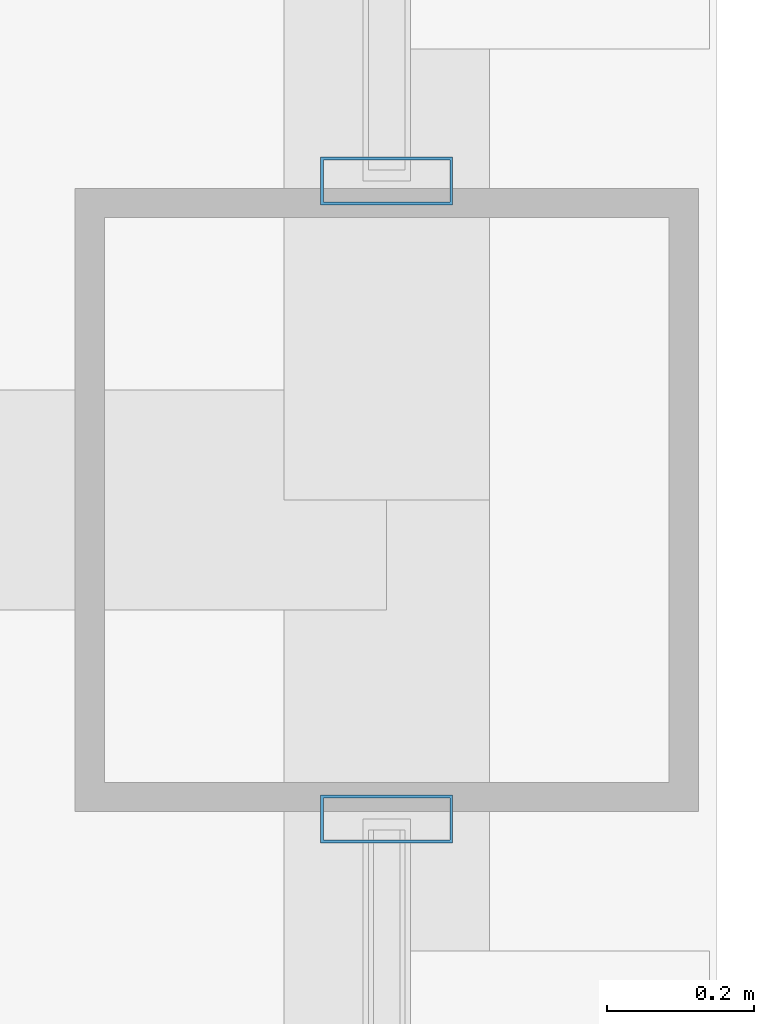
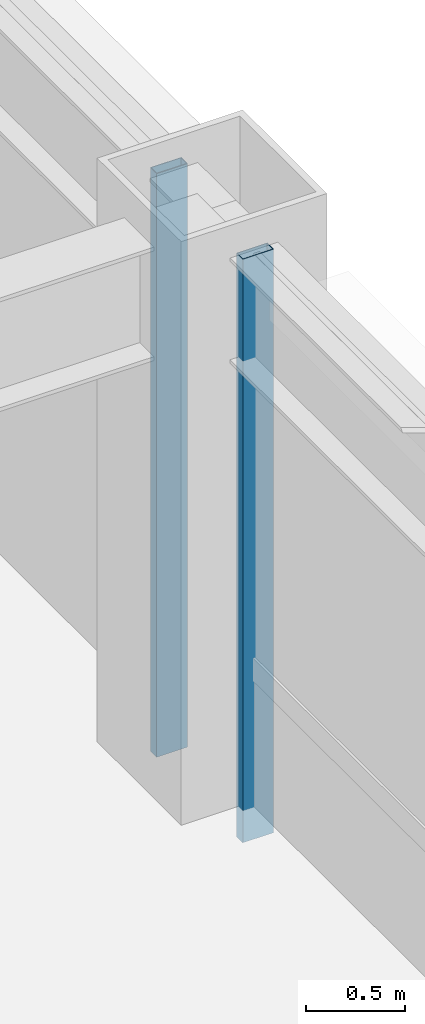
# One storey, part 17 of 31: 2 members, 2 elements without a shape of their own.
"""IFC4 building model written with IfcOpenShell, lengths in metres."""

from ifc_helpers import new_model, si_unit, direction, frame, origin, origin_2d, place, context, subcontext, project, spatial, hollow_rectangle, extrude, material, layer, layer_set, material_profile, profile_set, type_object, element, aggregate, save


model = new_model("IFC4")

# Units and contexts
model_context = context("Model", 3, precision=1e-05, world=origin(), true_north=direction((0.0, 1.0)))
body_context = subcontext(model_context, "Body", "Model", "MODEL_VIEW")
ifc_project = project(units=[si_unit("LENGTHUNIT", "METRE"), si_unit("AREAUNIT", "SQUARE_METRE"), si_unit("VOLUMEUNIT", "CUBIC_METRE"), si_unit("PLANEANGLEUNIT", "RADIAN"), si_unit("MASSUNIT", "GRAM", prefix="KILO")], contexts=[model_context])

# Site, building, storey
site_placement = place(None, origin())
site = spatial("IfcSite", under=ifc_project, at=site_placement, CompositionType="ELEMENT")
building_placement = place(site_placement, origin())
building = spatial("IfcBuilding", under=site, at=building_placement, Name="Brelmoor Portico Tower", CompositionType="ELEMENT")
storey_placement = place(building_placement, frame((0.0, 0.0, 106.199951171875)))
storey = spatial("IfcBuildingStorey", under=building, at=storey_placement, Name="L27", CompositionType="ELEMENT", Elevation=106.199951171875)

# Curtain wall, member
ifc_material = material(Name="Anodised Aluminium Alloy 6063-T6", Category="aluminium")
ifc_layer_1 = layer(ifc_material, 0.179931640625)
ifc_layer_set_1 = layer_set([ifc_layer_1], Name="Anodised Aluminium Alloy 6063-T6")
curtain_wall_type_1 = type_object("IfcCurtainWallType", Name="CW-TOWER-Z2", PredefinedType="NOTDEFINED", material=ifc_layer_set_1)
curtain_wall_1_placement = place(storey_placement, origin())
curtain_wall_1 = element("IfcCurtainWall", 1, at=curtain_wall_1_placement, inside=storey, type_object=curtain_wall_type_1, Name="L27 Curtain Wall CW-L27-4R-1", PredefinedType="NOTDEFINED")
ifc_material_profile = material_profile(ifc_material, hollow_rectangle(XDim=0.06494140625, YDim=0.179931640625, WallThickness=0.00390625, at=origin_2d()), Name="ALU MULLION 65x180")
ifc_profile_set = profile_set([ifc_material_profile], Name="Anodised Aluminium Alloy 6063-T6")
member_type = type_object("IfcMemberType", Name="MB-CW-MULL-180", PredefinedType="MULLION", material=ifc_profile_set)
member_1_placement = place(storey_placement, frame((22.550048828125, 9.31494140625, -0.199951171875), z_axis=(0.0, 0.0, 1.0), x_axis=(0.0, 1.0, 0.0)))
member_1 = element("IfcMember", 2, at=member_1_placement, type_object=member_type, Name="CW-L27-4R-1 Mullion 01", PredefinedType="MULLION", context=body_context, shape_type="SweptSolid", body=[
    extrude(hollow_rectangle(XDim=0.06494140625, YDim=0.179931640625, WallThickness=0.00390625, at=origin_2d()), origin(), (0.0, 0.0, 1.0), 3.60009765625),
])
aggregate(curtain_wall_1, [member_1])

ifc_layer_2 = layer(ifc_material, 0.179931640625)
ifc_layer_set_2 = layer_set([ifc_layer_2], Name="Anodised Aluminium Alloy 6063-T6")
curtain_wall_type_2 = type_object("IfcCurtainWallType", Name="CW-TOWER-Z2-XB", PredefinedType="NOTDEFINED", material=ifc_layer_set_2)
curtain_wall_2_placement = place(storey_placement, origin())
curtain_wall_2 = element("IfcCurtainWall", 3, at=curtain_wall_2_placement, inside=storey, type_object=curtain_wall_type_2, Name="L27 Curtain Wall CW-L27-4R-2", PredefinedType="NOTDEFINED")
member_2_placement = place(storey_placement, frame((22.550048828125, 10.18505859375, -0.199951171875), z_axis=(0.0, 0.0, 1.0), x_axis=(0.0, 1.0, 0.0)))
member_2 = element("IfcMember", 4, at=member_2_placement, type_object=member_type, Name="CW-L27-4R-2 Mullion 00", PredefinedType="MULLION", context=body_context, shape_type="SweptSolid", body=[
    extrude(hollow_rectangle(XDim=0.06494140625, YDim=0.179931640625, WallThickness=0.00390625, at=origin_2d()), origin(), (0.0, 0.0, 1.0), 3.60009765625),
])
aggregate(curtain_wall_2, [member_2])

save(model, "model.ifc")
